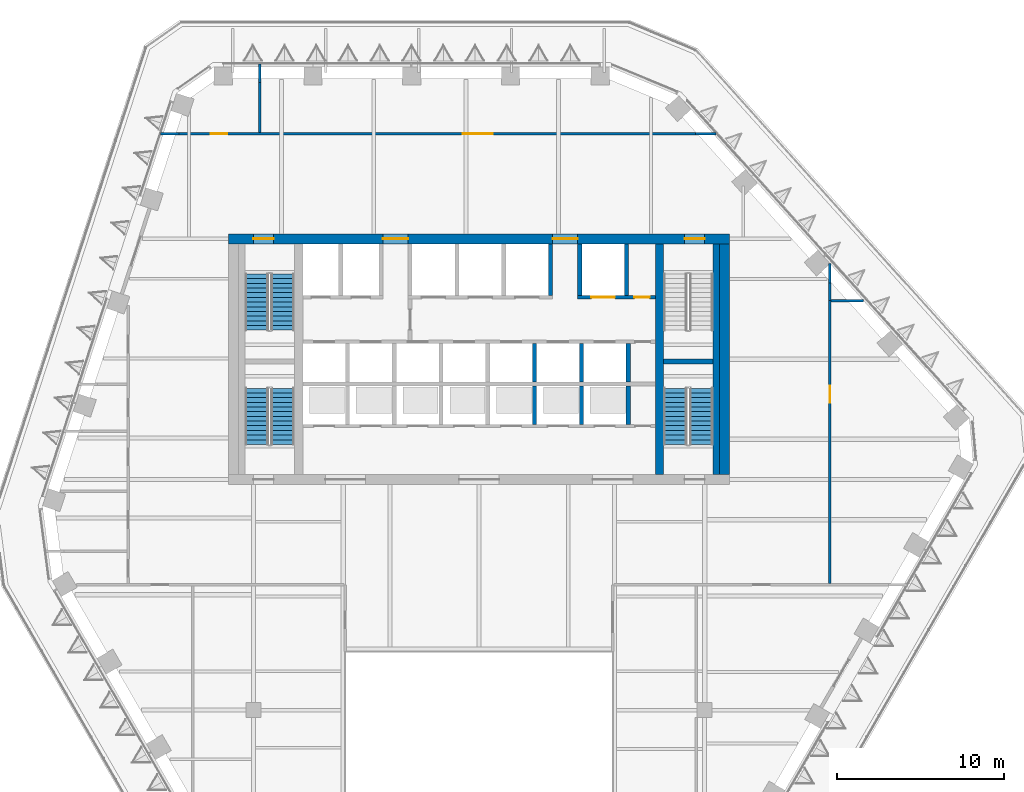
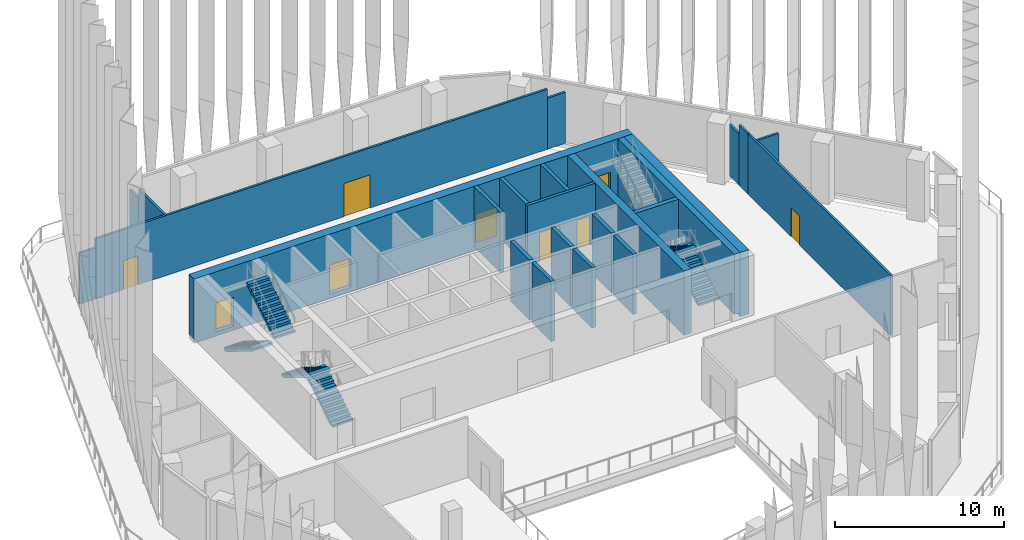
# One storey, part 11 of 21: 24 walls, 9 doors, 6 stair flights, 9 openings, 3 elements without a shape of their own.
"""IFC4 building model written with IfcOpenShell, lengths in metres."""

from ifc_helpers import new_model, si_unit, direction, frame, frame_2d, origin, place, context, subcontext, project, spatial, polyline, rectangle, outline, extrude, material, layer, layer_set, type_object, element, fill, aggregate, save


model = new_model("IFC4")

# Units and contexts
model_context = context("Model", 3, precision=1e-05, world=origin(), true_north=direction((0.0, 1.0)))
body_context = subcontext(model_context, "Body", "Model", "MODEL_VIEW")
ifc_project = project(units=[si_unit("LENGTHUNIT", "METRE"), si_unit("AREAUNIT", "SQUARE_METRE"), si_unit("VOLUMEUNIT", "CUBIC_METRE"), si_unit("PLANEANGLEUNIT", "RADIAN"), si_unit("MASSUNIT", "GRAM", prefix="KILO")], contexts=[model_context])

# Site, building, storey
site_placement = place(None, origin())
site = spatial("IfcSite", under=ifc_project, at=site_placement, CompositionType="ELEMENT")
building_placement = place(site_placement, origin())
building = spatial("IfcBuilding", under=site, at=building_placement, Name="Isthmus Gate Tower", CompositionType="ELEMENT")
storey_placement = place(building_placement, frame((0.0, 0.0, 211.800048828125)))
storey = spatial("IfcBuildingStorey", under=building, at=storey_placement, Name="L53", CompositionType="ELEMENT", Elevation=211.800048828125)

# Walls
ifc_material_1 = material(Name="Gypsum board on cold-formed steel studs", Category="steel")
ifc_layer_1 = layer(ifc_material_1, 0.14990234375)
ifc_layer_set_1 = layer_set([ifc_layer_1])
wall_type_1 = type_object("IfcWallType", Name="Partition 150 gypsum board on steel studs", PredefinedType="PARTITIONING", material=ifc_layer_set_1)
wall_1_placement = place(storey_placement, frame((21.074951171875, 11.0, 0.0), z_axis=(0.0, 0.0, 1.0), x_axis=(1.0, 0.0, 0.0)))
element("IfcWall", 1, at=wall_1_placement, inside=storey, type_object=wall_type_1, Name="Partition", PredefinedType="PARTITIONING", context=body_context, shape_type="SweptSolid", body=[
    extrude(rectangle(XDim=1.92626953125, YDim=0.14990234375, at=frame_2d((0.963134765625, 0.0))), origin(), (0.0, 0.0, 1.0), 3.699951171875),
])
wall_2_placement = place(storey_placement, frame((-19.058837890625, 21.0, 0.0), z_axis=(0.0, 0.0, 1.0), x_axis=(1.0, 0.0, 0.0)))
element("IfcWall", 2, at=wall_2_placement, inside=storey, type_object=wall_type_1, Name="Partition", PredefinedType="PARTITIONING", context=body_context, shape_type="SweptSolid", body=[
    extrude(rectangle(XDim=1.091064453125, YDim=0.14990234375, at=frame_2d((0.54541015625, 0.0))), origin(), (0.0, 0.0, 1.0), 3.699951171875),
])

# Wall, openings, doors
wall_3_placement = place(storey_placement, frame((-17.9677734375, 21.0, 0.0), z_axis=(0.0, 0.0, 1.0), x_axis=(1.0, 0.0, 0.0)))
wall_3 = element("IfcWall", 3, at=wall_3_placement, inside=storey, type_object=wall_type_1, Name="Partition", PredefinedType="PARTITIONING", context=body_context, shape_type="SweptSolid", body=[
    extrude(rectangle(XDim=30.922119140625, YDim=0.14990234375, at=frame_2d((15.4609375, 0.0))), origin(), (0.0, 0.0, 1.0), 4.349853515625),
])
opening_1_placement = place(wall_3_placement, frame((1.89990234375, 0.0, 0.0)))
opening_1 = element("IfcOpeningElement", 4, at=opening_1_placement, cuts=wall_3, Name="Opening DP53-01", PredefinedType="OPENING", context=body_context, shape_type="SweptSolid", body=[
    extrude(rectangle(XDim=1.0, YDim=2.10009765625, at=frame_2d((0.5, 1.050048828125))), frame((0.0, 0.0849609375, 0.0), z_axis=(0.0, -1.0, 0.0), x_axis=(1.0, 0.0, 0.0)), (0.0, 0.0, 1.0), 0.169921875),
])
opening_2_placement = place(wall_3_placement, frame((16.989013671875, 0.0, 0.0)))
opening_2 = element("IfcOpeningElement", 5, at=opening_2_placement, cuts=wall_3, Name="Opening DP53-02", PredefinedType="OPENING", context=body_context, shape_type="SweptSolid", body=[
    extrude(rectangle(XDim=1.800048828125, YDim=2.39990234375, at=frame_2d((0.89990234375, 1.199951171875))), frame((0.0, 0.0849609375, 0.0), z_axis=(0.0, -1.0, 0.0), x_axis=(1.0, 0.0, 0.0)), (0.0, 0.0, 1.0), 0.169921875),
])
ifc_material_2 = material(Name="Hollow metal frame with solid-core timber leaves", Category="wood")
door_type_1 = type_object("IfcDoorType", Name="Double swing door 1800 x 2400", OperationType="DOUBLE_DOOR_SINGLE_SWING", PredefinedType="DOOR", material=ifc_material_2)
door_1_placement = place(opening_2_placement, origin())
door_1 = element("IfcDoor", 6, at=door_1_placement, inside=storey, type_object=door_type_1, Name="Door DP53-02", OperationType="SINGLE_SWING_LEFT", OverallHeight=2.39990234375, OverallWidth=1.800048828125, PredefinedType="DOOR", context=body_context, shape_type="SweptSolid", body=[
    extrude(rectangle(XDim=1.800048828125, YDim=2.39990234375, at=frame_2d((0.89990234375, 1.199951171875))), frame((0.0, 0.02490234375, 0.0), z_axis=(0.0, -1.0, 0.0), x_axis=(1.0, 0.0, 0.0)), (0.0, 0.0, 1.0), 0.050048828125),
])
fill(opening_2, door_1)
ifc_material_3 = material(Name="Hollow metal frame with solid-core timber leaf", Category="wood")
door_type_2 = type_object("IfcDoorType", Name="Single swing door 1000 x 2100", OperationType="SINGLE_SWING_LEFT", PredefinedType="DOOR", material=ifc_material_3)
door_2_placement = place(opening_1_placement, origin())
door_2 = element("IfcDoor", 7, at=door_2_placement, inside=storey, type_object=door_type_2, Name="Door DP53-01", OperationType="SINGLE_SWING_LEFT", OverallHeight=2.10009765625, OverallWidth=1.0, PredefinedType="DOOR", context=body_context, shape_type="SweptSolid", body=[
    extrude(rectangle(XDim=1.0, YDim=2.10009765625, at=frame_2d((0.5, 1.050048828125))), frame((0.0, 0.02490234375, 0.0), z_axis=(0.0, -1.0, 0.0), x_axis=(1.0, 0.0, 0.0)), (0.0, 0.0, 1.0), 0.050048828125),
])
fill(opening_1, door_2)

# Walls
wall_4_placement = place(storey_placement, frame((12.954345703125, 21.0, 0.0), z_axis=(0.0, 0.0, 1.0), x_axis=(1.0, 0.0, 0.0)))
element("IfcWall", 8, at=wall_4_placement, inside=storey, type_object=wall_type_1, Name="Partition", PredefinedType="PARTITIONING", context=body_context, shape_type="SweptSolid", body=[
    extrude(rectangle(XDim=1.212890625, YDim=0.14990234375, at=frame_2d((0.6064453125, 0.0))), origin(), (0.0, 0.0, 1.0), 3.699951171875),
])
wall_5_placement = place(storey_placement, frame((-13.12890625, 21.074951171875, 0.0), z_axis=(0.0, 0.0, 1.0), x_axis=(0.0, 1.0, 0.0)))
element("IfcWall", 9, at=wall_5_placement, inside=storey, type_object=wall_type_1, Name="Partition", PredefinedType="PARTITIONING", context=body_context, shape_type="SweptSolid", body=[
    extrude(rectangle(XDim=3.0, YDim=0.14990234375, at=frame_2d((1.5, 0.0))), origin(), (0.0, 0.0, 1.0), 4.349853515625),
])
wall_6_placement = place(storey_placement, frame((-13.12890625, 24.074951171875, 0.0), z_axis=(0.0, 0.0, 1.0), x_axis=(0.0, 1.0, 0.0)))
element("IfcWall", 10, at=wall_6_placement, inside=storey, type_object=wall_type_1, Name="Partition", PredefinedType="PARTITIONING", context=body_context, shape_type="SweptSolid", body=[
    extrude(rectangle(XDim=1.094970703125, YDim=0.14990234375, at=frame_2d((0.54736328125, 0.0))), origin(), (0.0, 0.0, 1.0), 3.699951171875),
])

# Wall, opening, door
wall_7_placement = place(storey_placement, frame((21.0, -5.925048828125, 0.0), z_axis=(0.0, 0.0, 1.0), x_axis=(0.0, 1.0, 0.0)))
wall_7 = element("IfcWall", 11, at=wall_7_placement, inside=storey, type_object=wall_type_1, Name="Partition", PredefinedType="PARTITIONING", context=body_context, shape_type="SweptSolid", body=[
    extrude(rectangle(XDim=16.925048828125, YDim=0.14990234375, at=frame_2d((8.46240234375, 0.0))), origin(), (0.0, 0.0, 1.0), 4.349853515625),
])
opening_3_placement = place(wall_7_placement, frame((10.824951171875, 0.0, 0.0)))
opening_3 = element("IfcOpeningElement", 12, at=opening_3_placement, cuts=wall_7, Name="Opening DP53-08", PredefinedType="OPENING", context=body_context, shape_type="SweptSolid", body=[
    extrude(rectangle(XDim=1.0, YDim=2.10009765625, at=frame_2d((0.5, 1.050048828125))), frame((0.0, 0.0849609375, 0.0), z_axis=(0.0, -1.0, 0.0), x_axis=(1.0, 0.0, 0.0)), (0.0, 0.0, 1.0), 0.169921875),
])
door_3_placement = place(opening_3_placement, origin())
door_3 = element("IfcDoor", 13, at=door_3_placement, inside=storey, type_object=door_type_2, Name="Door DP53-08", OperationType="SINGLE_SWING_LEFT", OverallHeight=2.10009765625, OverallWidth=1.0, PredefinedType="DOOR", context=body_context, shape_type="SweptSolid", body=[
    extrude(rectangle(XDim=1.0, YDim=2.10009765625, at=frame_2d((0.5, 1.050048828125))), frame((0.0, 0.02490234375, 0.0), z_axis=(0.0, -1.0, 0.0), x_axis=(1.0, 0.0, 0.0)), (0.0, 0.0, 1.0), 0.050048828125),
])
fill(opening_3, door_3)

# Walls
wall_8_placement = place(storey_placement, frame((21.0, 11.0009765625, 0.0), z_axis=(0.0, 0.0, 1.0), x_axis=(0.0, 1.0, 0.0)))
element("IfcWall", 14, at=wall_8_placement, inside=storey, type_object=wall_type_1, Name="Partition", PredefinedType="PARTITIONING", context=body_context, shape_type="SweptSolid", body=[
    extrude(rectangle(XDim=1.0634765625, YDim=0.14990234375, at=frame_2d((0.53173828125, 0.0))), origin(), (0.0, 0.0, 1.0), 4.349853515625),
])
wall_9_placement = place(storey_placement, frame((21.0, 12.064453125, 0.0), z_axis=(0.0, 0.0, 1.0), x_axis=(0.0, 1.0, 0.0)))
element("IfcWall", 15, at=wall_9_placement, inside=storey, type_object=wall_type_1, Name="Partition", PredefinedType="PARTITIONING", context=body_context, shape_type="SweptSolid", body=[
    extrude(rectangle(XDim=1.158203125, YDim=0.14990234375, at=frame_2d((0.5791015625, 0.0))), origin(), (0.0, 0.0, 1.0), 3.699951171875),
])
ifc_material_4 = material(Name="Concrete f'c 50 MPa", Category="concrete")
ifc_layer_2 = layer(ifc_material_4, 0.5)
ifc_layer_set_2 = layer_set([ifc_layer_2], Name="RC CORE SPINE WALL 500 F'C 50")
wall_type_2 = type_object("IfcWallType", Name="RC CORE SPINE WALL 500 F'C 50", PredefinedType="SOLIDWALL", material=ifc_layer_set_2)
wall_10_placement = place(storey_placement, frame((10.800048828125, 0.60009765625, -0.300048828125), z_axis=(0.0, 0.0, 1.0), x_axis=(0.0, 1.0, 0.0)))
element("IfcWall", 16, at=wall_10_placement, inside=storey, type_object=wall_type_2, Name="str-corewall-L53-SPE", PredefinedType="SOLIDWALL", context=body_context, shape_type="SweptSolid", body=[
    extrude(rectangle(XDim=13.7998046875, YDim=0.5, at=frame_2d((6.89990234375, 0.0))), origin(), (0.0, 0.0, 1.0), 4.64990234375),
])

# Wall, openings, doors
ifc_material_5 = material(Name="Concrete f'c 50 MPa", Category="concrete")
ifc_layer_3 = layer(ifc_material_5, 0.60009765625)
ifc_layer_set_3 = layer_set([ifc_layer_3], Name="RC CORE WALL 600 F'C 50")
wall_type_3 = type_object("IfcWallType", Name="RC CORE WALL 600 F'C 50", PredefinedType="SOLIDWALL", material=ifc_layer_set_3)
wall_11_placement = place(storey_placement, frame((-15.0, 14.699951171875, -0.300048828125), z_axis=(0.0, 0.0, 1.0), x_axis=(1.0, 0.0, 0.0)))
wall_11 = element("IfcWall", 17, at=wall_11_placement, inside=storey, type_object=wall_type_3, Name="str-corewall-L53-N", PredefinedType="SOLIDWALL", context=body_context, shape_type="SweptSolid", body=[
    extrude(rectangle(XDim=30.0, YDim=0.60009765625, at=frame_2d((15.0, 0.0))), origin(), (0.0, 0.0, 1.0), 4.64990234375),
])
opening_4_placement = place(wall_11_placement, frame((9.25, 0.0, 0.300048828125)))
opening_4 = element("IfcOpeningElement", 18, at=opening_4_placement, cuts=wall_11, Name="Opening DC-A15-08", PredefinedType="OPENING", context=body_context, shape_type="SweptSolid", body=[
    extrude(rectangle(XDim=1.5, YDim=2.10009765625, at=frame_2d((0.75, 1.050048828125))), frame((0.0, 0.31005859375, 0.0), z_axis=(0.0, -1.0, 0.0), x_axis=(1.0, 0.0, 0.0)), (0.0, 0.0, 1.0), 0.6201171875),
])
opening_5_placement = place(wall_11_placement, frame((19.39990234375, 0.0, 0.300048828125)))
opening_5 = element("IfcOpeningElement", 19, at=opening_5_placement, cuts=wall_11, Name="Opening DC-A15-09", PredefinedType="OPENING", context=body_context, shape_type="SweptSolid", body=[
    extrude(rectangle(XDim=1.5, YDim=2.10009765625, at=frame_2d((0.75, 1.050048828125))), frame((0.0, 0.31005859375, 0.0), z_axis=(0.0, -1.0, 0.0), x_axis=(1.0, 0.0, 0.0)), (0.0, 0.0, 1.0), 0.6201171875),
])
opening_6_placement = place(wall_11_placement, frame((1.5, 0.0, 0.300048828125)))
opening_6 = element("IfcOpeningElement", 20, at=opening_6_placement, cuts=wall_11, Name="Opening DC-A15-10", PredefinedType="OPENING", context=body_context, shape_type="SweptSolid", body=[
    extrude(rectangle(XDim=1.199951171875, YDim=2.10009765625, at=frame_2d((0.60009765625, 1.050048828125))), frame((0.0, 0.31005859375, 0.0), z_axis=(0.0, -1.0, 0.0), x_axis=(1.0, 0.0, 0.0)), (0.0, 0.0, 1.0), 0.6201171875),
])
opening_7_placement = place(wall_11_placement, frame((27.300048828125, 0.0, 0.300048828125)))
opening_7 = element("IfcOpeningElement", 21, at=opening_7_placement, cuts=wall_11, Name="Opening DC-A15-11", PredefinedType="OPENING", context=body_context, shape_type="SweptSolid", body=[
    extrude(rectangle(XDim=1.199951171875, YDim=2.10009765625, at=frame_2d((0.60009765625, 1.050048828125))), frame((0.0, 0.31005859375, 0.0), z_axis=(0.0, -1.0, 0.0), x_axis=(1.0, 0.0, 0.0)), (0.0, 0.0, 1.0), 0.6201171875),
])
ifc_material_6 = material(Name="Steel door leaf, fire-rated", Category="steel")
door_type_3 = type_object("IfcDoorType", Name="LOBBY FIRE DOOR 1500 X 2100 60 MIN", OperationType="DOUBLE_DOOR_SINGLE_SWING", PredefinedType="DOOR", material=ifc_material_6)
door_4_placement = place(opening_5_placement, origin())
door_4 = element("IfcDoor", 22, at=door_4_placement, inside=storey, type_object=door_type_3, Name="Lobby Door PN-E", OperationType="DOUBLE_DOOR_SINGLE_SWING", OverallHeight=2.10009765625, OverallWidth=1.5, PredefinedType="DOOR", context=body_context, shape_type="SweptSolid", body=[
    extrude(rectangle(XDim=1.5, YDim=2.10009765625, at=frame_2d((0.75, 1.050048828125))), frame((0.0, 0.02490234375, 0.0), z_axis=(0.0, -1.0, 0.0), x_axis=(1.0, 0.0, 0.0)), (0.0, 0.0, 1.0), 0.050048828125),
])
fill(opening_5, door_4)
ifc_material_7 = material(Name="Steel door leaf, fire-rated", Category="steel")
door_type_4 = type_object("IfcDoorType", Name="LOBBY FIRE DOOR 1500 X 2100 90 MIN", OperationType="DOUBLE_DOOR_SINGLE_SWING", PredefinedType="DOOR", material=ifc_material_7)
door_5_placement = place(opening_4_placement, origin())
door_5 = element("IfcDoor", 23, at=door_5_placement, inside=storey, type_object=door_type_4, Name="Lobby Door PN-W", OperationType="DOUBLE_DOOR_SINGLE_SWING", OverallHeight=2.10009765625, OverallWidth=1.5, PredefinedType="DOOR", context=body_context, shape_type="SweptSolid", body=[
    extrude(rectangle(XDim=1.5, YDim=2.10009765625, at=frame_2d((0.75, 1.050048828125))), frame((0.0, 0.02490234375, 0.0), z_axis=(0.0, -1.0, 0.0), x_axis=(1.0, 0.0, 0.0)), (0.0, 0.0, 1.0), 0.050048828125),
])
fill(opening_4, door_5)
ifc_material_8 = material(Name="Steel door leaf, fire-rated", Category="steel")
door_type_5 = type_object("IfcDoorType", Name="STAIR FIRE DOOR 1200 X 2100 90 MIN", OperationType="SINGLE_SWING_LEFT", PredefinedType="DOOR", material=ifc_material_8)
door_6_placement = place(opening_6_placement, origin())
door_6 = element("IfcDoor", 24, at=door_6_placement, inside=storey, type_object=door_type_5, Name="Exit Stair 1 Door", OperationType="SINGLE_SWING_RIGHT", OverallHeight=2.10009765625, OverallWidth=1.199951171875, PredefinedType="DOOR", context=body_context, shape_type="SweptSolid", body=[
    extrude(rectangle(XDim=1.199951171875, YDim=2.10009765625, at=frame_2d((0.60009765625, 1.050048828125))), frame((0.0, 0.02490234375, 0.0), z_axis=(0.0, -1.0, 0.0), x_axis=(1.0, 0.0, 0.0)), (0.0, 0.0, 1.0), 0.050048828125),
])
fill(opening_6, door_6)
door_7_placement = place(opening_7_placement, origin())
door_7 = element("IfcDoor", 25, at=door_7_placement, inside=storey, type_object=door_type_5, Name="Exit Stair 2 Door", OperationType="SINGLE_SWING_LEFT", OverallHeight=2.10009765625, OverallWidth=1.199951171875, PredefinedType="DOOR", context=body_context, shape_type="SweptSolid", body=[
    extrude(rectangle(XDim=1.199951171875, YDim=2.10009765625, at=frame_2d((0.60009765625, 1.050048828125))), frame((0.0, 0.02490234375, 0.0), z_axis=(0.0, -1.0, 0.0), x_axis=(1.0, 0.0, 0.0)), (0.0, 0.0, 1.0), 0.050048828125),
])
fill(opening_7, door_7)

# Wall
wall_12_placement = place(storey_placement, frame((14.699951171875, 0.60009765625, -0.300048828125), z_axis=(0.0, 0.0, 1.0), x_axis=(0.0, 1.0, 0.0)))
element("IfcWall", 26, at=wall_12_placement, inside=storey, type_object=wall_type_3, Name="str-corewall-L53-E", PredefinedType="SOLIDWALL", context=body_context, shape_type="SweptSolid", body=[
    extrude(rectangle(XDim=13.7998046875, YDim=0.60009765625, at=frame_2d((6.89990234375, 0.0))), origin(), (0.0, 0.0, 1.0), 4.64990234375),
])

# Wall, openings, doors
ifc_material_9 = material(Name="Fire-rated blockwork masonry, 15 MPa", Category="masonry")
ifc_layer_4 = layer(ifc_material_9, 0.199951171875)
ifc_layer_set_4 = layer_set([ifc_layer_4], Name="SHAFT FRONT WALL 200 120 MIN")
wall_type_4 = type_object("IfcWallType", Name="SHAFT FRONT WALL 200 120 MIN", PredefinedType="PARTITIONING", material=ifc_layer_set_4)
wall_13_placement = place(storey_placement, frame((5.89990234375, 11.199951171875, 0.0), z_axis=(0.0, 0.0, 1.0), x_axis=(1.0, 0.0, 0.0)))
wall_13 = element("IfcWall", 27, at=wall_13_placement, inside=storey, type_object=wall_type_4, Name="L53 SHAFT FRONT WALL 200 120 MIN", PredefinedType="PARTITIONING", context=body_context, shape_type="SweptSolid", body=[
    extrude(rectangle(XDim=4.650146484375, YDim=0.199951171875, at=frame_2d((2.3251953125, 0.0))), origin(), (0.0, 0.0, 1.0), 4.349853515625),
])
opening_8_placement = place(wall_13_placement, frame((0.824951171875, 0.0, 0.0)))
opening_8 = element("IfcOpeningElement", 28, at=opening_8_placement, cuts=wall_13, Name="Opening LD-LS2", PredefinedType="OPENING", context=body_context, shape_type="SweptSolid", body=[
    extrude(rectangle(XDim=1.39990234375, YDim=2.10009765625, at=frame_2d((0.699951171875, 1.050048828125))), frame((0.0, 0.10986328125, 0.0), z_axis=(0.0, -1.0, 0.0), x_axis=(1.0, 0.0, 0.0)), (0.0, 0.0, 1.0), 0.219970703125),
])
opening_9_placement = place(wall_13_placement, frame((3.39990234375, 0.0, 0.0)))
opening_9 = element("IfcOpeningElement", 29, at=opening_9_placement, cuts=wall_13, Name="Opening DC-A15-04", PredefinedType="OPENING", context=body_context, shape_type="SweptSolid", body=[
    extrude(rectangle(XDim=0.89990234375, YDim=2.10009765625, at=frame_2d((0.449951171875, 1.050048828125))), frame((0.0, 0.10986328125, 0.0), z_axis=(0.0, -1.0, 0.0), x_axis=(1.0, 0.0, 0.0)), (0.0, 0.0, 1.0), 0.219970703125),
])
ifc_material_10 = material(Name="Stainless steel sliding leaf", Category="steel")
door_type_6 = type_object("IfcDoorType", Name="LIFT LANDING FIRE DOOR 1400 X 2100 90 MIN", OperationType="DOUBLE_DOOR_SLIDING", PredefinedType="DOOR", material=ifc_material_10)
door_8_placement = place(opening_8_placement, origin())
door_8 = element("IfcDoor", 30, at=door_8_placement, inside=storey, type_object=door_type_6, Name="Lift Landing Door LS2", OperationType="DOUBLE_DOOR_SLIDING", OverallHeight=2.10009765625, OverallWidth=1.39990234375, PredefinedType="DOOR", context=body_context, shape_type="SweptSolid", body=[
    extrude(rectangle(XDim=1.39990234375, YDim=2.10009765625, at=frame_2d((0.699951171875, 1.050048828125))), frame((0.0, 0.02490234375, 0.0), z_axis=(0.0, -1.0, 0.0), x_axis=(1.0, 0.0, 0.0)), (0.0, 0.0, 1.0), 0.050048828125),
])
fill(opening_8, door_8)
ifc_material_11 = material(Name="Steel door leaf, fire-rated", Category="steel")
door_type_7 = type_object("IfcDoorType", Name="RISER FIRE DOOR 900 X 2100 90 MIN", OperationType="SINGLE_SWING_LEFT", PredefinedType="DOOR", material=ifc_material_11)
door_9_placement = place(opening_9_placement, origin())
door_9 = element("IfcDoor", 31, at=door_9_placement, inside=storey, type_object=door_type_7, Name="Riser Door", OperationType="SINGLE_SWING_LEFT", OverallHeight=2.10009765625, OverallWidth=0.89990234375, PredefinedType="DOOR", context=body_context, shape_type="SweptSolid", body=[
    extrude(rectangle(XDim=0.89990234375, YDim=2.10009765625, at=frame_2d((0.449951171875, 1.050048828125))), frame((0.0, 0.02490234375, 0.0), z_axis=(0.0, -1.0, 0.0), x_axis=(1.0, 0.0, 0.0)), (0.0, 0.0, 1.0), 0.050048828125),
])
fill(opening_9, door_9)

# Walls
ifc_material_12 = material(Name="Fire-rated blockwork masonry, 15 MPa", Category="masonry")
ifc_layer_5 = layer(ifc_material_12, 0.25)
ifc_layer_set_5 = layer_set([ifc_layer_5], Name="SHAFT WALL 250 120 MIN")
wall_type_5 = type_object("IfcWallType", Name="SHAFT WALL 250 120 MIN", PredefinedType="PARTITIONING", material=ifc_layer_set_5)
for number, where, z_axis, x_axis, name in (
    (32, (3.324951171875, 3.60009765625, 0.0), (0.0, 0.0, 1.0), (0.0, 1.0, 0.0), "L53 SHAFT WALL 250 120 MIN"),
    (33, (6.125, 3.60009765625, 0.0), (0.0, 0.0, 1.0), (0.0, 1.0, 0.0), "L53 SHAFT WALL 250 120 MIN"),
    (34, (8.925048828125, 3.60009765625, 0.0), (0.0, 0.0, 1.0), (0.0, 1.0, 0.0), "L53 SHAFT WALL 250 120 MIN"),
):
    element("IfcWall", number, at=place(storey_placement, frame(where, z_axis=z_axis, x_axis=x_axis)), inside=storey, type_object=wall_type_5, Name=name, PredefinedType="PARTITIONING", context=body_context, shape_type="SweptSolid", body=[
        extrude(rectangle(XDim=2.2998046875, YDim=0.25, at=frame_2d((1.14990234375, 0.0))), origin(), (0.0, 0.0, 1.0), 4.349853515625),
    ])
for number, where, z_axis, x_axis, name in (
    (35, (3.324951171875, 6.14990234375, 0.0), (0.0, 0.0, 1.0), (0.0, 1.0, 0.0), "L53 SHAFT WALL 250 120 MIN"),
    (36, (6.125, 6.14990234375, 0.0), (0.0, 0.0, 1.0), (0.0, 1.0, 0.0), "L53 SHAFT WALL 250 120 MIN"),
    (37, (8.925048828125, 6.14990234375, 0.0), (0.0, 0.0, 1.0), (0.0, 1.0, 0.0), "L53 SHAFT WALL 250 120 MIN"),
):
    element("IfcWall", number, at=place(storey_placement, frame(where, z_axis=z_axis, x_axis=x_axis)), inside=storey, type_object=wall_type_5, Name=name, PredefinedType="PARTITIONING", context=body_context, shape_type="SweptSolid", body=[
        extrude(rectangle(XDim=2.300048828125, YDim=0.25, at=frame_2d((1.14990234375, 0.0))), origin(), (0.0, 0.0, 1.0), 4.349853515625),
    ])
for number, where, z_axis, x_axis, name in (
    (38, (4.27490234375, 11.300048828125, 0.0), (0.0, 0.0, 1.0), (0.0, 1.0, 0.0), "L53 SHAFT WALL 250 120 MIN"),
    (39, (6.02490234375, 11.300048828125, 0.0), (0.0, 0.0, 1.0), (0.0, 1.0, 0.0), "L53 SHAFT WALL 250 120 MIN"),
    (40, (8.824951171875, 11.300048828125, 0.0), (0.0, 0.0, 1.0), (0.0, 1.0, 0.0), "L53 SHAFT WALL 250 120 MIN"),
):
    element("IfcWall", number, at=place(storey_placement, frame(where, z_axis=z_axis, x_axis=x_axis)), inside=storey, type_object=wall_type_5, Name=name, PredefinedType="PARTITIONING", context=body_context, shape_type="SweptSolid", body=[
        extrude(rectangle(XDim=3.099853515625, YDim=0.25, at=frame_2d((1.5498046875, 0.0))), origin(), (0.0, 0.0, 1.0), 4.349853515625),
    ])
ifc_material_13 = material(Name="Concrete f'c 40 MPa", Category="concrete")
ifc_layer_6 = layer(ifc_material_13, 0.300048828125)
ifc_layer_set_6 = layer_set([ifc_layer_6], Name="STAIR ENCLOSURE WALL 300 180 MIN")
wall_type_6 = type_object("IfcWallType", Name="STAIR ENCLOSURE WALL 300 180 MIN", PredefinedType="SOLIDWALL", material=ifc_layer_set_6)
wall_14_placement = place(storey_placement, frame((11.050048828125, 7.35009765625, 0.0), z_axis=(0.0, 0.0, 1.0), x_axis=(1.0, 0.0, 0.0)))
element("IfcWall", 41, at=wall_14_placement, inside=storey, type_object=wall_type_6, Name="L53 STAIR ENCLOSURE WALL 300 180 MIN", PredefinedType="SOLIDWALL", context=body_context, shape_type="SweptSolid", body=[
    extrude(rectangle(XDim=2.949951171875, YDim=0.300048828125, at=frame_2d((1.47509765625, 0.0))), origin(), (0.0, 0.0, 1.0), 4.349853515625),
])
ifc_material_14 = material(Name="Concrete f'c 40 MPa", Category="concrete")
ifc_layer_7 = layer(ifc_material_14, 0.39990234375)
ifc_layer_set_7 = layer_set([ifc_layer_7], Name="STAIR ENCLOSURE WALL 400 180 MIN")
wall_type_7 = type_object("IfcWallType", Name="STAIR ENCLOSURE WALL 400 180 MIN", PredefinedType="SOLIDWALL", material=ifc_layer_set_7)
wall_15_placement = place(storey_placement, frame((14.199951171875, 0.60009765625, 0.0), z_axis=(0.0, 0.0, 1.0), x_axis=(0.0, 1.0, 0.0)))
element("IfcWall", 42, at=wall_15_placement, inside=storey, type_object=wall_type_7, Name="L53 STAIR ENCLOSURE WALL 400 180 MIN", PredefinedType="SOLIDWALL", context=body_context, shape_type="SweptSolid", body=[
    extrude(rectangle(XDim=13.7998046875, YDim=0.39990234375, at=frame_2d((6.89990234375, 0.0))), origin(), (0.0, 0.0, 1.0), 4.349853515625),
])

# Stair, stair flights
ifc_material_15 = material(Name="Concrete f'c 40 MPa", Category="concrete")
stair_type = type_object("IfcStairType", Name="CORE STAIR 26 RISERS", PredefinedType="HALF_TURN_STAIR", material=ifc_material_15)
stair_1_placement = place(storey_placement, origin())
stair_1 = element("IfcStair", 43, at=stair_1_placement, inside=storey, type_object=stair_type, Name="L53 Exit Stair 1", PredefinedType="HALF_TURN_STAIR")
ifc_material_16 = material(Name="Concrete f'c 40 MPa", Category="concrete")
stair_flight_type = type_object("IfcStairFlightType", Name="STAIR FLIGHT RC 1400", PredefinedType="STRAIGHT", material=ifc_material_16)
stair_flight_1_placement = place(storey_placement, frame((-13.300048828125, 12.60009765625, 0.0), z_axis=(0.0, 0.0, 1.0), x_axis=(0.0, -1.0, 0.0)))
stair_flight_1 = element("IfcStairFlight", 44, at=stair_flight_1_placement, type_object=stair_flight_type, Name="ST1 flight 1", NumberOfRisers=13, NumberOfTreads=12, PredefinedType="STRAIGHT", RiserHeight=0.173076923, TreadLength=0.28, context=body_context, shape_type="SweptSolid", body=[
    extrude(outline(polyline([(0.0, 0.0), (0.0, 0.173095703125), (0.280029296875, 0.173095703125), (0.280029296875, 0.34619140625), (0.56005859375, 0.34619140625), (0.56005859375, 0.519287109375), (0.840087890625, 0.519287109375), (0.840087890625, 0.6923828125), (1.1201171875, 0.6923828125), (1.1201171875, 0.865478515625), (1.39990234375, 0.865478515625), (1.39990234375, 1.03857421875), (1.679931640625, 1.03857421875), (1.679931640625, 1.21142578125), (1.9599609375, 1.21142578125), (1.9599609375, 1.384521484375), (2.239990234375, 1.384521484375), (2.239990234375, 1.5576171875), (2.52001953125, 1.5576171875), (2.52001953125, 1.730712890625), (2.800048828125, 1.730712890625), (2.800048828125, 1.90380859375), (3.080078125, 1.90380859375), (3.080078125, 2.076904296875), (3.360107421875, 2.076904296875), (3.360107421875, 2.25), (3.360107421875, 1.900634765625), (0.28515625, 0.0), (0.0, 0.0)])), frame((0.0, 0.699951171875, 0.0), z_axis=(0.0, -1.0, 0.0), x_axis=(1.0, 0.0, 0.0)), (0.0, 0.0, 1.0), 1.39990234375),
])
stair_flight_2_placement = place(storey_placement, frame((-11.75, 9.239990234375, 2.25), z_axis=(0.0, 0.0, 1.0), x_axis=(0.0, 1.0, 0.0)))
stair_flight_2 = element("IfcStairFlight", 45, at=stair_flight_2_placement, type_object=stair_flight_type, Name="ST1 flight 2", NumberOfRisers=13, NumberOfTreads=12, PredefinedType="STRAIGHT", RiserHeight=0.173076923, TreadLength=0.28, context=body_context, shape_type="SweptSolid", body=[
    extrude(outline(polyline([(0.0, 0.0), (0.0, 0.173095703125), (0.280029296875, 0.173095703125), (0.280029296875, 0.34619140625), (0.56005859375, 0.34619140625), (0.56005859375, 0.519287109375), (0.840087890625, 0.519287109375), (0.840087890625, 0.6923828125), (1.1201171875, 0.6923828125), (1.1201171875, 0.865478515625), (1.39990234375, 0.865478515625), (1.39990234375, 1.03857421875), (1.679931640625, 1.03857421875), (1.679931640625, 1.21142578125), (1.9599609375, 1.21142578125), (1.9599609375, 1.384521484375), (2.239990234375, 1.384521484375), (2.239990234375, 1.5576171875), (2.52001953125, 1.5576171875), (2.52001953125, 1.730712890625), (2.800048828125, 1.730712890625), (2.800048828125, 1.90380859375), (3.080078125, 1.90380859375), (3.080078125, 2.076904296875), (3.360107421875, 2.076904296875), (3.360107421875, 2.25), (3.360107421875, 1.900634765625), (0.28515625, 0.0), (0.0, 0.0)])), frame((0.0, 0.699951171875, 0.0), z_axis=(0.0, -1.0, 0.0), x_axis=(1.0, 0.0, 0.0)), (0.0, 0.0, 1.0), 1.39990234375),
])
aggregate(stair_1, [stair_flight_1, stair_flight_2])

stair_2_placement = place(storey_placement, origin())
stair_2 = element("IfcStair", 46, at=stair_2_placement, inside=storey, type_object=stair_type, Name="L53 Exit Stair 7", PredefinedType="HALF_TURN_STAIR")
stair_flight_3_placement = place(storey_placement, frame((-11.75, 2.39990234375, 0.0), z_axis=(0.0, 0.0, 1.0), x_axis=(0.0, 1.0, 0.0)))
stair_flight_3 = element("IfcStairFlight", 47, at=stair_flight_3_placement, type_object=stair_flight_type, Name="ST7 flight 1", NumberOfRisers=13, NumberOfTreads=12, PredefinedType="STRAIGHT", RiserHeight=0.173076923, TreadLength=0.28, context=body_context, shape_type="SweptSolid", body=[
    extrude(outline(polyline([(0.0, 0.0), (0.0, 0.173095703125), (0.280029296875, 0.173095703125), (0.280029296875, 0.34619140625), (0.56005859375, 0.34619140625), (0.56005859375, 0.519287109375), (0.840087890625, 0.519287109375), (0.840087890625, 0.6923828125), (1.1201171875, 0.6923828125), (1.1201171875, 0.865478515625), (1.39990234375, 0.865478515625), (1.39990234375, 1.03857421875), (1.679931640625, 1.03857421875), (1.679931640625, 1.21142578125), (1.9599609375, 1.21142578125), (1.9599609375, 1.384521484375), (2.239990234375, 1.384521484375), (2.239990234375, 1.5576171875), (2.52001953125, 1.5576171875), (2.52001953125, 1.730712890625), (2.800048828125, 1.730712890625), (2.800048828125, 1.90380859375), (3.080078125, 1.90380859375), (3.080078125, 2.076904296875), (3.360107421875, 2.076904296875), (3.360107421875, 2.25), (3.360107421875, 1.900634765625), (0.28515625, 0.0), (0.0, 0.0)])), frame((0.0, 0.699951171875, 0.0), z_axis=(0.0, -1.0, 0.0), x_axis=(1.0, 0.0, 0.0)), (0.0, 0.0, 1.0), 1.39990234375),
])
stair_flight_4_placement = place(storey_placement, frame((-13.300048828125, 5.760009765625, 2.25), z_axis=(0.0, 0.0, 1.0), x_axis=(0.0, -1.0, 0.0)))
stair_flight_4 = element("IfcStairFlight", 48, at=stair_flight_4_placement, type_object=stair_flight_type, Name="ST7 flight 2", NumberOfRisers=13, NumberOfTreads=12, PredefinedType="STRAIGHT", RiserHeight=0.173076923, TreadLength=0.28, context=body_context, shape_type="SweptSolid", body=[
    extrude(outline(polyline([(0.0, 0.0), (0.0, 0.173095703125), (0.280029296875, 0.173095703125), (0.280029296875, 0.34619140625), (0.56005859375, 0.34619140625), (0.56005859375, 0.519287109375), (0.840087890625, 0.519287109375), (0.840087890625, 0.6923828125), (1.1201171875, 0.6923828125), (1.1201171875, 0.865478515625), (1.39990234375, 0.865478515625), (1.39990234375, 1.03857421875), (1.679931640625, 1.03857421875), (1.679931640625, 1.21142578125), (1.9599609375, 1.21142578125), (1.9599609375, 1.384521484375), (2.239990234375, 1.384521484375), (2.239990234375, 1.5576171875), (2.52001953125, 1.5576171875), (2.52001953125, 1.730712890625), (2.800048828125, 1.730712890625), (2.800048828125, 1.90380859375), (3.080078125, 1.90380859375), (3.080078125, 2.076904296875), (3.360107421875, 2.076904296875), (3.360107421875, 2.25), (3.360107421875, 1.900634765625), (0.28515625, 0.0), (0.0, 0.0)])), frame((0.0, 0.699951171875, 0.0), z_axis=(0.0, -1.0, 0.0), x_axis=(1.0, 0.0, 0.0)), (0.0, 0.0, 1.0), 1.39990234375),
])
aggregate(stair_2, [stair_flight_3, stair_flight_4])

stair_3_placement = place(storey_placement, origin())
stair_3 = element("IfcStair", 49, at=stair_3_placement, inside=storey, type_object=stair_type, Name="L53 Exit Stair 8", PredefinedType="HALF_TURN_STAIR")
stair_flight_5_placement = place(storey_placement, frame((13.300048828125, 2.39990234375, 0.0), z_axis=(0.0, 0.0, 1.0), x_axis=(0.0, 1.0, 0.0)))
stair_flight_5 = element("IfcStairFlight", 50, at=stair_flight_5_placement, type_object=stair_flight_type, Name="ST8 flight 1", NumberOfRisers=13, NumberOfTreads=12, PredefinedType="STRAIGHT", RiserHeight=0.173076923, TreadLength=0.28, context=body_context, shape_type="SweptSolid", body=[
    extrude(outline(polyline([(0.0, 0.0), (0.0, 0.173095703125), (0.280029296875, 0.173095703125), (0.280029296875, 0.34619140625), (0.56005859375, 0.34619140625), (0.56005859375, 0.519287109375), (0.840087890625, 0.519287109375), (0.840087890625, 0.6923828125), (1.1201171875, 0.6923828125), (1.1201171875, 0.865478515625), (1.39990234375, 0.865478515625), (1.39990234375, 1.03857421875), (1.679931640625, 1.03857421875), (1.679931640625, 1.21142578125), (1.9599609375, 1.21142578125), (1.9599609375, 1.384521484375), (2.239990234375, 1.384521484375), (2.239990234375, 1.5576171875), (2.52001953125, 1.5576171875), (2.52001953125, 1.730712890625), (2.800048828125, 1.730712890625), (2.800048828125, 1.90380859375), (3.080078125, 1.90380859375), (3.080078125, 2.076904296875), (3.360107421875, 2.076904296875), (3.360107421875, 2.25), (3.360107421875, 1.900634765625), (0.28515625, 0.0), (0.0, 0.0)])), frame((0.0, 0.699951171875, 0.0), z_axis=(0.0, -1.0, 0.0), x_axis=(1.0, 0.0, 0.0)), (0.0, 0.0, 1.0), 1.39990234375),
])
stair_flight_6_placement = place(storey_placement, frame((11.75, 5.760009765625, 2.25), z_axis=(0.0, 0.0, 1.0), x_axis=(0.0, -1.0, 0.0)))
stair_flight_6 = element("IfcStairFlight", 51, at=stair_flight_6_placement, type_object=stair_flight_type, Name="ST8 flight 2", NumberOfRisers=13, NumberOfTreads=12, PredefinedType="STRAIGHT", RiserHeight=0.173076923, TreadLength=0.28, context=body_context, shape_type="SweptSolid", body=[
    extrude(outline(polyline([(0.0, 0.0), (0.0, 0.173095703125), (0.280029296875, 0.173095703125), (0.280029296875, 0.34619140625), (0.56005859375, 0.34619140625), (0.56005859375, 0.519287109375), (0.840087890625, 0.519287109375), (0.840087890625, 0.6923828125), (1.1201171875, 0.6923828125), (1.1201171875, 0.865478515625), (1.39990234375, 0.865478515625), (1.39990234375, 1.03857421875), (1.679931640625, 1.03857421875), (1.679931640625, 1.21142578125), (1.9599609375, 1.21142578125), (1.9599609375, 1.384521484375), (2.239990234375, 1.384521484375), (2.239990234375, 1.5576171875), (2.52001953125, 1.5576171875), (2.52001953125, 1.730712890625), (2.800048828125, 1.730712890625), (2.800048828125, 1.90380859375), (3.080078125, 1.90380859375), (3.080078125, 2.076904296875), (3.360107421875, 2.076904296875), (3.360107421875, 2.25), (3.360107421875, 1.900634765625), (0.28515625, 0.0), (0.0, 0.0)])), frame((0.0, 0.699951171875, 0.0), z_axis=(0.0, -1.0, 0.0), x_axis=(1.0, 0.0, 0.0)), (0.0, 0.0, 1.0), 1.39990234375),
])
aggregate(stair_3, [stair_flight_5, stair_flight_6])

save(model, "model.ifc")
